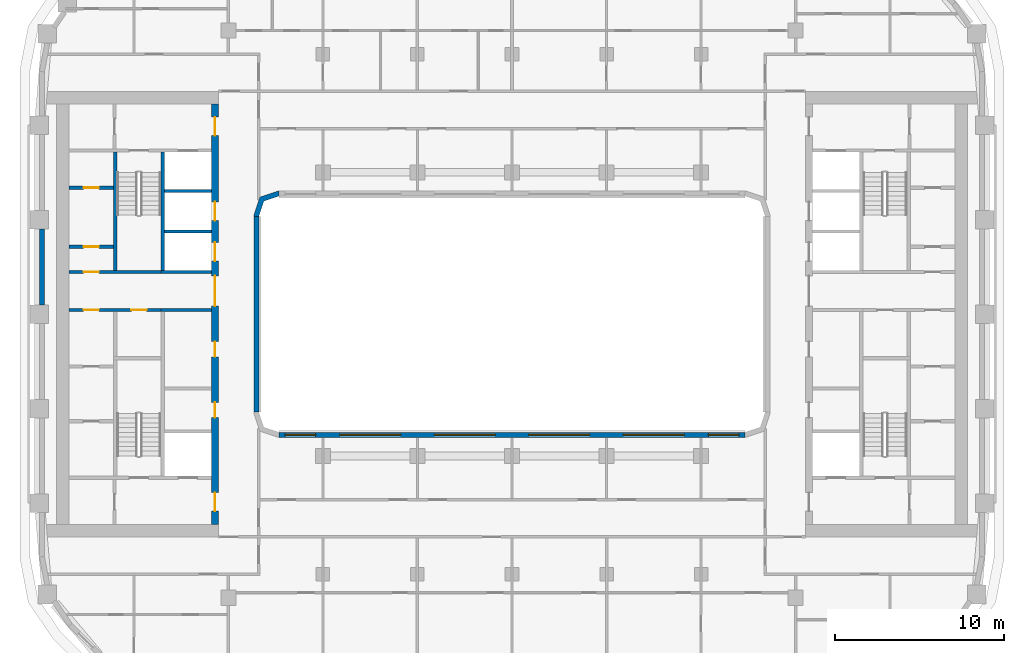
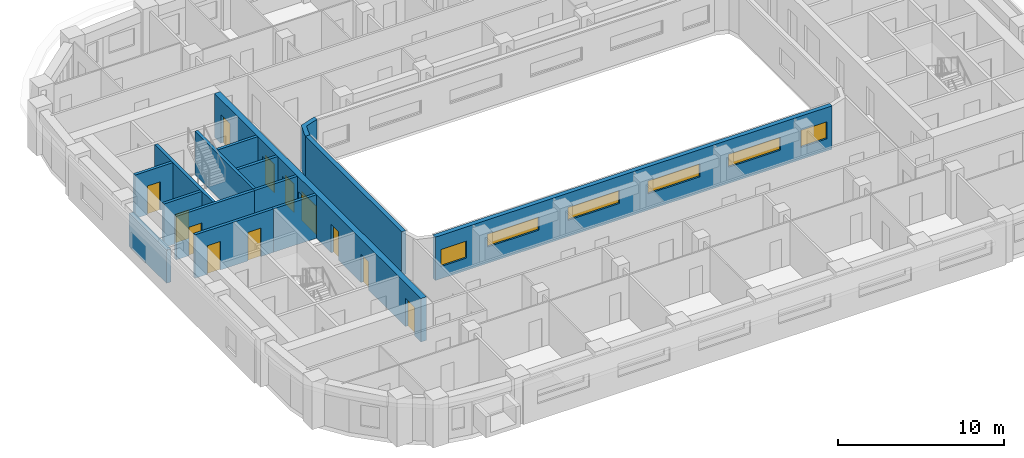
# One storey, part 4 of 22: 15 walls, 12 doors, 6 windows, 18 openings.
"""IFC4 building model written with IfcOpenShell, lengths in metres."""

from ifc_helpers import new_model, si_unit, direction, frame, frame_2d, origin, place, context, subcontext, project, spatial, polyline, rectangle, outline, extrude, material, layer, layer_set, type_object, element, fill, save


model = new_model("IFC4")

# Units and contexts
model_context = context("Model", 3, precision=1e-05, world=origin(), true_north=direction((0.0, 1.0)))
body_context = subcontext(model_context, "Body", "Model", "MODEL_VIEW")
ifc_project = project(units=[si_unit("LENGTHUNIT", "METRE"), si_unit("AREAUNIT", "SQUARE_METRE"), si_unit("VOLUMEUNIT", "CUBIC_METRE"), si_unit("PLANEANGLEUNIT", "RADIAN"), si_unit("MASSUNIT", "GRAM", prefix="KILO")], contexts=[model_context])

# Site, building, storey
site_placement = place(None, origin())
site = spatial("IfcSite", under=ifc_project, at=site_placement, CompositionType="ELEMENT")
building_placement = place(site_placement, origin())
building = spatial("IfcBuilding", under=site, at=building_placement, Name="Kiln Ring Residences", CompositionType="ELEMENT")
storey_placement = place(building_placement, frame((0.0, 0.0, 146.60009765625)))
storey = spatial("IfcBuildingStorey", under=building, at=storey_placement, Name="L37", CompositionType="ELEMENT", Elevation=146.60009765625)

# Wall, openings, doors
ifc_material_1 = material(Name="Gypsum board on steel studs", Category="steel")
ifc_layer_1 = layer(ifc_material_1, 0.199951171875)
ifc_layer_set_1 = layer_set([ifc_layer_1], Name="CORE-PARTITION-200")
wall_type_1 = type_object("IfcWallType", Name="CORE-PARTITION-200", PredefinedType="PARTITIONING", material=ifc_layer_set_1)
wall_1_placement = place(storey_placement, frame((-20.800048828125, 0.25, 0.0), z_axis=(0.0, 0.0, 1.0), x_axis=(-1.0, 0.0, 0.0)))
wall_1 = element("IfcWall", 1, at=wall_1_placement, inside=storey, type_object=wall_type_1, Name="Core partition west L37 2", PredefinedType="PARTITIONING", context=body_context, shape_type="SweptSolid", body=[
    extrude(rectangle(XDim=5.449951171875, YDim=0.199951171875, at=frame_2d((2.72509765625, 0.0))), origin(), (0.0, 0.0, 1.0), 3.199951171875),
])
opening_1_placement = place(wall_1_placement, frame((0.85009765625, 0.0, 0.0)))
opening_1 = element("IfcOpeningElement", 2, at=opening_1_placement, cuts=wall_1, Name="Opening L37-CW14", PredefinedType="OPENING", context=body_context, shape_type="SweptSolid", body=[
    extrude(rectangle(XDim=0.89990234375, YDim=2.10009765625, at=frame_2d((0.449951171875, 1.050048828125))), frame((0.0, 0.10986328125, 0.0), z_axis=(0.0, -1.0, 0.0), x_axis=(1.0, 0.0, 0.0)), (0.0, 0.0, 1.0), 0.219970703125),
])
opening_2_placement = place(wall_1_placement, frame((3.675048828125, 0.0, 0.0)))
opening_2 = element("IfcOpeningElement", 3, at=opening_2_placement, cuts=wall_1, Name="Opening L37-CW17", PredefinedType="OPENING", context=body_context, shape_type="SweptSolid", body=[
    extrude(rectangle(XDim=0.89990234375, YDim=2.10009765625, at=frame_2d((0.449951171875, 1.050048828125))), frame((0.0, 0.10986328125, 0.0), z_axis=(0.0, -1.0, 0.0), x_axis=(1.0, 0.0, 0.0)), (0.0, 0.0, 1.0), 0.219970703125),
])
ifc_material_2 = material(Name="Steel door leaf", Category="steel")
door_type_1 = type_object("IfcDoorType", Name="CORE-DOOR-ROOM", OperationType="SINGLE_SWING_LEFT", PredefinedType="DOOR", material=ifc_material_2)
door_1_placement = place(opening_1_placement, origin())
door_1 = element("IfcDoor", 4, at=door_1_placement, inside=storey, type_object=door_type_1, Name="Electrical riser room L37-CW14", OperationType="SINGLE_SWING_RIGHT", OverallHeight=2.10009765625, OverallWidth=0.89990234375, PredefinedType="DOOR", context=body_context, shape_type="SweptSolid", body=[
    extrude(rectangle(XDim=0.89990234375, YDim=2.10009765625, at=frame_2d((0.449951171875, 1.050048828125))), frame((0.0, 0.02490234375, 0.0), z_axis=(0.0, -1.0, 0.0), x_axis=(1.0, 0.0, 0.0)), (0.0, 0.0, 1.0), 0.050048828125),
])
fill(opening_1, door_1)
door_2_placement = place(opening_2_placement, origin())
door_2 = element("IfcDoor", 5, at=door_2_placement, inside=storey, type_object=door_type_1, Name="Plant room L37-CW17", OperationType="SINGLE_SWING_LEFT", OverallHeight=2.10009765625, OverallWidth=0.89990234375, PredefinedType="DOOR", context=body_context, shape_type="SweptSolid", body=[
    extrude(rectangle(XDim=0.89990234375, YDim=2.10009765625, at=frame_2d((0.449951171875, 1.050048828125))), frame((0.0, 0.02490234375, 0.0), z_axis=(0.0, -1.0, 0.0), x_axis=(1.0, 0.0, 0.0)), (0.0, 0.0, 1.0), 0.050048828125),
])
fill(opening_2, door_2)

# Wall, opening, door
wall_2_placement = place(storey_placement, frame((-23.60009765625, 4.0, 0.0), z_axis=(0.0, 0.0, 1.0), x_axis=(-1.0, 0.0, 0.0)))
wall_2 = element("IfcWall", 6, at=wall_2_placement, inside=storey, type_object=wall_type_1, Name="Core partition west L37 8", PredefinedType="PARTITIONING", context=body_context, shape_type="SweptSolid", body=[
    extrude(rectangle(XDim=2.64990234375, YDim=0.199951171875, at=frame_2d((1.324951171875, 0.0))), origin(), (0.0, 0.0, 1.0), 3.199951171875),
])
opening_3_placement = place(wall_2_placement, frame((0.875, 0.0, 0.0)))
opening_3 = element("IfcOpeningElement", 7, at=opening_3_placement, cuts=wall_2, Name="Opening L37-CW18", PredefinedType="OPENING", context=body_context, shape_type="SweptSolid", body=[
    extrude(rectangle(XDim=0.89990234375, YDim=2.10009765625, at=frame_2d((0.449951171875, 1.050048828125))), frame((0.0, 0.10986328125, 0.0), z_axis=(0.0, -1.0, 0.0), x_axis=(1.0, 0.0, 0.0)), (0.0, 0.0, 1.0), 0.219970703125),
])
door_3_placement = place(opening_3_placement, origin())
door_3 = element("IfcDoor", 8, at=door_3_placement, inside=storey, type_object=door_type_1, Name="Electrical plant room L37-CW18", OperationType="SINGLE_SWING_LEFT", OverallHeight=2.10009765625, OverallWidth=0.89990234375, PredefinedType="DOOR", context=body_context, shape_type="SweptSolid", body=[
    extrude(rectangle(XDim=0.89990234375, YDim=2.10009765625, at=frame_2d((0.449951171875, 1.050048828125))), frame((0.0, 0.02490234375, 0.0), z_axis=(0.0, -1.0, 0.0), x_axis=(1.0, 0.0, 0.0)), (0.0, 0.0, 1.0), 0.050048828125),
])
fill(opening_3, door_3)

wall_3_placement = place(storey_placement, frame((-23.60009765625, 7.5, 0.0), z_axis=(0.0, 0.0, 1.0), x_axis=(-1.0, 0.0, 0.0)))
wall_3 = element("IfcWall", 9, at=wall_3_placement, inside=storey, type_object=wall_type_1, Name="Core partition west L37 9", PredefinedType="PARTITIONING", context=body_context, shape_type="SweptSolid", body=[
    extrude(rectangle(XDim=2.64990234375, YDim=0.199951171875, at=frame_2d((1.324951171875, 0.0))), origin(), (0.0, 0.0, 1.0), 3.199951171875),
])
opening_4_placement = place(wall_3_placement, frame((0.875, 0.0, 0.0)))
opening_4 = element("IfcOpeningElement", 10, at=opening_4_placement, cuts=wall_3, Name="Opening L37-CW19", PredefinedType="OPENING", context=body_context, shape_type="SweptSolid", body=[
    extrude(rectangle(XDim=0.89990234375, YDim=2.10009765625, at=frame_2d((0.449951171875, 1.050048828125))), frame((0.0, 0.10986328125, 0.0), z_axis=(0.0, -1.0, 0.0), x_axis=(1.0, 0.0, 0.0)), (0.0, 0.0, 1.0), 0.219970703125),
])
door_4_placement = place(opening_4_placement, origin())
door_4 = element("IfcDoor", 11, at=door_4_placement, inside=storey, type_object=door_type_1, Name="UPS room L37-CW19", OperationType="SINGLE_SWING_RIGHT", OverallHeight=2.10009765625, OverallWidth=0.89990234375, PredefinedType="DOOR", context=body_context, shape_type="SweptSolid", body=[
    extrude(rectangle(XDim=0.89990234375, YDim=2.10009765625, at=frame_2d((0.449951171875, 1.050048828125))), frame((0.0, 0.02490234375, 0.0), z_axis=(0.0, -1.0, 0.0), x_axis=(1.0, 0.0, 0.0)), (0.0, 0.0, 1.0), 0.050048828125),
])
fill(opening_4, door_4)

# Walls
ifc_material_3 = material(Name="Gypsum shaft wall system")
ifc_layer_2 = layer(ifc_material_3, 0.199951171875)
ifc_layer_set_2 = layer_set([ifc_layer_2], Name="CORE-SHAFT-WALL-200")
wall_type_2 = type_object("IfcWallType", Name="CORE-SHAFT-WALL-200", PredefinedType="PARTITIONING", material=ifc_layer_set_2)
for number, where, z_axis, x_axis, name in (
    (12, (-17.800048828125, 0.25, 0.0), (0.0, 0.0, 1.0), (-1.0, 0.0, 0.0), "Core partition west L37 11"),
    (13, (-17.800048828125, 2.5, 0.0), (0.0, 0.0, 1.0), (-1.0, 0.0, 0.0), "Core partition west L37 12"),
):
    element("IfcWall", number, at=place(storey_placement, frame(where, z_axis=z_axis, x_axis=x_axis)), inside=storey, type_object=wall_type_2, Name=name, PredefinedType="PARTITIONING", context=body_context, shape_type="SweptSolid", body=[
        extrude(rectangle(XDim=3.0, YDim=0.199951171875, at=frame_2d((1.5, 0.0))), origin(), (0.0, 0.0, 1.0), 3.199951171875),
    ])
for number, where, z_axis, x_axis, name in (
    (14, (-17.800048828125, 4.89990234375, 0.0), (0.0, 0.0, 1.0), (-1.0, 0.0, 0.0), "Core partition west L37 13"),
    (15, (-17.800048828125, 7.300048828125, 0.0), (0.0, 0.0, 1.0), (-1.0, 0.0, 0.0), "Core partition west L37 14"),
):
    element("IfcWall", number, at=place(storey_placement, frame(where, z_axis=z_axis, x_axis=x_axis)), inside=storey, type_object=wall_type_2, Name=name, PredefinedType="PARTITIONING", context=body_context, shape_type="SweptSolid", body=[
        extrude(rectangle(XDim=2.800048828125, YDim=0.199951171875, at=frame_2d((1.39990234375, 0.0))), origin(), (0.0, 0.0, 1.0), 3.199951171875),
    ])
ifc_material_4 = material(Name="Concrete C40/50", Category="concrete")
ifc_layer_3 = layer(ifc_material_4, 0.199951171875)
ifc_layer_set_3 = layer_set([ifc_layer_3], Name="CORE-WALL-RC200")
wall_type_3 = type_object("IfcWallType", Name="CORE-WALL-RC200", PredefinedType="SHEAR", material=ifc_layer_set_3)
wall_4_placement = place(storey_placement, frame((-20.699951171875, 2.60009765625, 0.0), z_axis=(0.0, 0.0, 1.0), x_axis=(0.0, 1.0, 0.0)))
element("IfcWall", 16, at=wall_4_placement, inside=storey, type_object=wall_type_3, Name="Core wall west L37 1", PredefinedType="SHEAR", context=body_context, shape_type="SweptSolid", body=[
    extrude(rectangle(XDim=7.0, YDim=0.199951171875, at=frame_2d((3.5, 0.0))), origin(), (0.0, 0.0, 1.0), 3.199951171875),
])

# Wall, opening, door
wall_5_placement = place(storey_placement, frame((-20.800048828125, 2.5, 0.0), z_axis=(0.0, 0.0, 1.0), x_axis=(-1.0, 0.0, 0.0)))
wall_5 = element("IfcWall", 17, at=wall_5_placement, inside=storey, type_object=wall_type_3, Name="Core wall west L37 3", PredefinedType="SHEAR", context=body_context, shape_type="SweptSolid", body=[
    extrude(rectangle(XDim=5.449951171875, YDim=0.199951171875, at=frame_2d((2.72509765625, 0.0))), origin(), (0.0, 0.0, 1.0), 3.199951171875),
])
opening_5_placement = place(wall_5_placement, frame((3.675048828125, 0.0, 0.0)))
opening_5 = element("IfcOpeningElement", 18, at=opening_5_placement, cuts=wall_5, Name="Opening L37-CW20", PredefinedType="OPENING", context=body_context, shape_type="SweptSolid", body=[
    extrude(rectangle(XDim=0.89990234375, YDim=2.10009765625, at=frame_2d((0.449951171875, 1.050048828125))), frame((0.0, 0.10986328125, 0.0), z_axis=(0.0, -1.0, 0.0), x_axis=(1.0, 0.0, 0.0)), (0.0, 0.0, 1.0), 0.219970703125),
])
door_5_placement = place(opening_5_placement, origin())
door_5 = element("IfcDoor", 19, at=door_5_placement, inside=storey, type_object=door_type_1, Name="Comms room L37-CW20", OperationType="SINGLE_SWING_LEFT", OverallHeight=2.10009765625, OverallWidth=0.89990234375, PredefinedType="DOOR", context=body_context, shape_type="SweptSolid", body=[
    extrude(rectangle(XDim=0.89990234375, YDim=2.10009765625, at=frame_2d((0.449951171875, 1.050048828125))), frame((0.0, 0.02490234375, 0.0), z_axis=(0.0, -1.0, 0.0), x_axis=(1.0, 0.0, 0.0)), (0.0, 0.0, 1.0), 0.050048828125),
])
fill(opening_5, door_5)

# Wall
wall_6_placement = place(storey_placement, frame((-23.5, 2.60009765625, 0.0), z_axis=(0.0, 0.0, 1.0), x_axis=(0.0, 1.0, 0.0)))
element("IfcWall", 20, at=wall_6_placement, inside=storey, type_object=wall_type_3, Name="Core wall west L37 10", PredefinedType="SHEAR", context=body_context, shape_type="SweptSolid", body=[
    extrude(rectangle(XDim=7.0, YDim=0.199951171875, at=frame_2d((3.5, 0.0))), origin(), (0.0, 0.0, 1.0), 3.199951171875),
])

# Wall, openings, doors
ifc_material_5 = material(Name="Concrete C60/75", Category="concrete")
ifc_layer_4 = layer(ifc_material_5, 0.39990234375)
ifc_layer_set_4 = layer_set([ifc_layer_4], Name="CORE-WALL-RC400")
wall_type_4 = type_object("IfcWallType", Name="CORE-WALL-RC400", PredefinedType="SHEAR", material=ifc_layer_set_4)
wall_7_placement = place(storey_placement, frame((-17.60009765625, -12.449951171875, 0.0), z_axis=(0.0, 0.0, 1.0), x_axis=(0.0, 1.0, 0.0)))
wall_7 = element("IfcWall", 21, at=wall_7_placement, inside=storey, type_object=wall_type_4, Name="Core wall west L37 6", PredefinedType="SHEAR", context=body_context, shape_type="SweptSolid", body=[
    extrude(rectangle(XDim=24.89990234375, YDim=0.39990234375, at=frame_2d((12.449951171875, 0.0))), origin(), (0.0, 0.0, 1.0), 3.199951171875),
])
opening_6_placement = place(wall_7_placement, frame((6.324951171875, 0.0, 0.0)))
opening_6 = element("IfcOpeningElement", 22, at=opening_6_placement, cuts=wall_7, Name="Opening L37-CW02", PredefinedType="OPENING", context=body_context, shape_type="SweptSolid", body=[
    extrude(rectangle(XDim=0.89990234375, YDim=2.10009765625, at=frame_2d((0.449951171875, 1.050048828125))), frame((0.0, 0.2099609375, 0.0), z_axis=(0.0, -1.0, 0.0), x_axis=(1.0, 0.0, 0.0)), (0.0, 0.0, 1.0), 0.419921875),
])
opening_7_placement = place(wall_7_placement, frame((9.925048828125, 0.0, 0.0)))
opening_7 = element("IfcOpeningElement", 23, at=opening_7_placement, cuts=wall_7, Name="Opening L37-CW03", PredefinedType="OPENING", context=body_context, shape_type="SweptSolid", body=[
    extrude(rectangle(XDim=0.89990234375, YDim=2.10009765625, at=frame_2d((0.449951171875, 1.050048828125))), frame((0.0, 0.2099609375, 0.0), z_axis=(0.0, -1.0, 0.0), x_axis=(1.0, 0.0, 0.0)), (0.0, 0.0, 1.0), 0.419921875),
])
opening_8_placement = place(wall_7_placement, frame((15.60009765625, 0.0, 0.0)))
opening_8 = element("IfcOpeningElement", 24, at=opening_8_placement, cuts=wall_7, Name="Opening L37-CW04", PredefinedType="OPENING", context=body_context, shape_type="SweptSolid", body=[
    extrude(rectangle(XDim=1.10009765625, YDim=2.10009765625, at=frame_2d((0.550048828125, 1.050048828125))), frame((0.0, 0.2099609375, 0.0), z_axis=(0.0, -1.0, 0.0), x_axis=(1.0, 0.0, 0.0)), (0.0, 0.0, 1.0), 0.419921875),
])
opening_9_placement = place(wall_7_placement, frame((18.0, 0.0, 0.0)))
opening_9 = element("IfcOpeningElement", 25, at=opening_9_placement, cuts=wall_7, Name="Opening L37-CW05", PredefinedType="OPENING", context=body_context, shape_type="SweptSolid", body=[
    extrude(rectangle(XDim=1.10009765625, YDim=2.10009765625, at=frame_2d((0.550048828125, 1.050048828125))), frame((0.0, 0.2099609375, 0.0), z_axis=(0.0, -1.0, 0.0), x_axis=(1.0, 0.0, 0.0)), (0.0, 0.0, 1.0), 0.419921875),
])
opening_10_placement = place(wall_7_placement, frame((23.02490234375, 0.0, 0.0)))
opening_10 = element("IfcOpeningElement", 26, at=opening_10_placement, cuts=wall_7, Name="Opening L37-CW07", PredefinedType="OPENING", context=body_context, shape_type="SweptSolid", body=[
    extrude(rectangle(XDim=1.10009765625, YDim=2.10009765625, at=frame_2d((0.550048828125, 1.050048828125))), frame((0.0, 0.2099609375, 0.0), z_axis=(0.0, -1.0, 0.0), x_axis=(1.0, 0.0, 0.0)), (0.0, 0.0, 1.0), 0.419921875),
])
opening_11_placement = place(wall_7_placement, frame((0.77490234375, 0.0, 0.0)))
opening_11 = element("IfcOpeningElement", 27, at=opening_11_placement, cuts=wall_7, Name="Opening L37-CW08", PredefinedType="OPENING", context=body_context, shape_type="SweptSolid", body=[
    extrude(rectangle(XDim=1.10009765625, YDim=2.10009765625, at=frame_2d((0.550048828125, 1.050048828125))), frame((0.0, 0.2099609375, 0.0), z_axis=(0.0, -1.0, 0.0), x_axis=(1.0, 0.0, 0.0)), (0.0, 0.0, 1.0), 0.419921875),
])
opening_12_placement = place(wall_7_placement, frame((12.925048828125, 0.0, 0.0)))
opening_12 = element("IfcOpeningElement", 28, at=opening_12_placement, cuts=wall_7, Name="Opening L37-CW13", PredefinedType="OPENING", context=body_context, shape_type="SweptSolid", body=[
    extrude(rectangle(XDim=1.800048828125, YDim=2.10009765625, at=frame_2d((0.89990234375, 1.050048828125))), frame((0.0, 0.2099609375, 0.0), z_axis=(0.0, -1.0, 0.0), x_axis=(1.0, 0.0, 0.0)), (0.0, 0.0, 1.0), 0.419921875),
])
ifc_material_6 = material(Name="Steel door leaf", Category="steel")
door_type_2 = type_object("IfcDoorType", Name="CORE-DOOR-LD", OperationType="DOUBLE_DOOR_SLIDING", PredefinedType="DOOR", material=ifc_material_6)
door_6_placement = place(opening_8_placement, origin())
door_6 = element("IfcDoor", 29, at=door_6_placement, inside=storey, type_object=door_type_2, Name="LD W-M1 L37-CW04", OperationType="DOUBLE_DOOR_SLIDING", OverallHeight=2.10009765625, OverallWidth=1.10009765625, PredefinedType="DOOR", context=body_context, shape_type="SweptSolid", body=[
    extrude(rectangle(XDim=1.10009765625, YDim=2.10009765625, at=frame_2d((0.550048828125, 1.050048828125))), frame((0.0, 0.02490234375, 0.0), z_axis=(0.0, -1.0, 0.0), x_axis=(1.0, 0.0, 0.0)), (0.0, 0.0, 1.0), 0.050048828125),
])
fill(opening_8, door_6)
door_7_placement = place(opening_9_placement, origin())
door_7 = element("IfcDoor", 30, at=door_7_placement, inside=storey, type_object=door_type_2, Name="LD W-M2 L37-CW05", OperationType="DOUBLE_DOOR_SLIDING", OverallHeight=2.10009765625, OverallWidth=1.10009765625, PredefinedType="DOOR", context=body_context, shape_type="SweptSolid", body=[
    extrude(rectangle(XDim=1.10009765625, YDim=2.10009765625, at=frame_2d((0.550048828125, 1.050048828125))), frame((0.0, 0.02490234375, 0.0), z_axis=(0.0, -1.0, 0.0), x_axis=(1.0, 0.0, 0.0)), (0.0, 0.0, 1.0), 0.050048828125),
])
fill(opening_9, door_7)
ifc_material_7 = material(Name="Steel door leaf", Category="steel")
door_type_3 = type_object("IfcDoorType", Name="CORE-DOOR-LOBBY", OperationType="SINGLE_SWING_LEFT", PredefinedType="DOOR", material=ifc_material_7)
door_8_placement = place(opening_10_placement, origin())
door_8 = element("IfcDoor", 31, at=door_8_placement, inside=storey, type_object=door_type_3, Name="FFL L37-CW07", OperationType="SINGLE_SWING_RIGHT", OverallHeight=2.10009765625, OverallWidth=1.10009765625, PredefinedType="DOOR", context=body_context, shape_type="SweptSolid", body=[
    extrude(rectangle(XDim=1.10009765625, YDim=2.10009765625, at=frame_2d((0.550048828125, 1.050048828125))), frame((0.0, 0.02490234375, 0.0), z_axis=(0.0, -1.0, 0.0), x_axis=(1.0, 0.0, 0.0)), (0.0, 0.0, 1.0), 0.050048828125),
])
fill(opening_10, door_8)
door_9_placement = place(opening_11_placement, origin())
door_9 = element("IfcDoor", 32, at=door_9_placement, inside=storey, type_object=door_type_3, Name="SVL L37-CW08", OperationType="SINGLE_SWING_LEFT", OverallHeight=2.10009765625, OverallWidth=1.10009765625, PredefinedType="DOOR", context=body_context, shape_type="SweptSolid", body=[
    extrude(rectangle(XDim=1.10009765625, YDim=2.10009765625, at=frame_2d((0.550048828125, 1.050048828125))), frame((0.0, 0.02490234375, 0.0), z_axis=(0.0, -1.0, 0.0), x_axis=(1.0, 0.0, 0.0)), (0.0, 0.0, 1.0), 0.050048828125),
])
fill(opening_11, door_9)
ifc_material_8 = material(Name="Steel door leaf", Category="steel")
door_type_4 = type_object("IfcDoorType", Name="CORE-DOOR-PASS", OperationType="DOUBLE_DOOR_SINGLE_SWING", PredefinedType="DOOR", material=ifc_material_8)
door_10_placement = place(opening_12_placement, origin())
door_10 = element("IfcDoor", 33, at=door_10_placement, inside=storey, type_object=door_type_4, Name="Core passage L37-CW13", OperationType="DOUBLE_DOOR_SINGLE_SWING", OverallHeight=2.10009765625, OverallWidth=1.800048828125, PredefinedType="DOOR", context=body_context, shape_type="SweptSolid", body=[
    extrude(rectangle(XDim=1.800048828125, YDim=2.10009765625, at=frame_2d((0.89990234375, 1.050048828125))), frame((0.0, 0.02490234375, 0.0), z_axis=(0.0, -1.0, 0.0), x_axis=(1.0, 0.0, 0.0)), (0.0, 0.0, 1.0), 0.050048828125),
])
fill(opening_12, door_10)
door_11_placement = place(opening_6_placement, origin())
door_11 = element("IfcDoor", 34, at=door_11_placement, inside=storey, type_object=door_type_1, Name="Goods store L37-CW02", OperationType="SINGLE_SWING_RIGHT", OverallHeight=2.10009765625, OverallWidth=0.89990234375, PredefinedType="DOOR", context=body_context, shape_type="SweptSolid", body=[
    extrude(rectangle(XDim=0.89990234375, YDim=2.10009765625, at=frame_2d((0.449951171875, 1.050048828125))), frame((0.0, 0.02490234375, 0.0), z_axis=(0.0, -1.0, 0.0), x_axis=(1.0, 0.0, 0.0)), (0.0, 0.0, 1.0), 0.050048828125),
])
fill(opening_6, door_11)
door_12_placement = place(opening_7_placement, origin())
door_12 = element("IfcDoor", 35, at=door_12_placement, inside=storey, type_object=door_type_1, Name="Storage room L37-CW03", OperationType="SINGLE_SWING_LEFT", OverallHeight=2.10009765625, OverallWidth=0.89990234375, PredefinedType="DOOR", context=body_context, shape_type="SweptSolid", body=[
    extrude(rectangle(XDim=0.89990234375, YDim=2.10009765625, at=frame_2d((0.449951171875, 1.050048828125))), frame((0.0, 0.02490234375, 0.0), z_axis=(0.0, -1.0, 0.0), x_axis=(1.0, 0.0, 0.0)), (0.0, 0.0, 1.0), 0.050048828125),
])
fill(opening_7, door_12)

# Walls
ifc_material_9 = material(Name="Brick masonry, dark clay brick", Category="masonry")
ifc_layer_5 = layer(ifc_material_9, 0.300048828125)
ifc_layer_set_5 = layer_set([ifc_layer_5], Name="EW-300 BRICK WALL")
wall_type_5 = type_object("IfcWallType", Name="EW-300 BRICK WALL", PredefinedType="SOLIDWALL", material=ifc_layer_set_5)
wall_8_placement = place(storey_placement, frame((-27.85009765625, 5.050048828125, 0.0), z_axis=(0.0, 0.0, 1.0), x_axis=(0.0, -1.0, 0.0)))
element("IfcWall", 36, at=wall_8_placement, inside=storey, type_object=wall_type_5, Name="Facade wall L37 43", PredefinedType="SOLIDWALL", context=body_context, shape_type="SweptSolid", body=[
    extrude(rectangle(XDim=4.5, YDim=0.300048828125, at=frame_2d((2.25, 0.0))), origin(), (0.0, 0.0, 1.0), 2.449951171875),
])
wall_9_placement = place(storey_placement, frame((-15.14990234375, -5.800048828125, 0.0), z_axis=(0.0, 0.0, 1.0), x_axis=(0.0, 1.0, 0.0)))
element("IfcWall", 37, at=wall_9_placement, inside=storey, type_object=wall_type_5, Name="Facade wall L37 49", PredefinedType="SOLIDWALL", context=body_context, shape_type="SweptSolid", body=[
    extrude(rectangle(XDim=11.60009765625, YDim=0.300048828125, at=frame_2d((5.800048828125, 0.0))), origin(), (0.0, 0.0, 1.0), 3.199951171875),
])

# Wall, openings, windows
wall_10_placement = place(storey_placement, frame((13.800048828125, -7.14990234375, 0.0), z_axis=(0.0, 0.0, 1.0), x_axis=(-1.0, 0.0, 0.0)))
wall_10 = element("IfcWall", 38, at=wall_10_placement, inside=storey, type_object=wall_type_5, Name="Facade wall L37 52", PredefinedType="SOLIDWALL", context=body_context, shape_type="SweptSolid", body=[
    extrude(rectangle(XDim=27.60009765625, YDim=0.300048828125, at=frame_2d((13.800048828125, 0.0))), origin(), (0.0, 0.0, 1.0), 3.199951171875),
])
opening_13_placement = place(wall_10_placement, frame((0.362548828125, 0.0, 0.89990234375)))
opening_13 = element("IfcOpeningElement", 39, at=opening_13_placement, cuts=wall_10, Name="Opening W2", PredefinedType="OPENING", context=body_context, shape_type="SweptSolid", body=[
    extrude(rectangle(XDim=1.800048828125, YDim=1.25, at=frame_2d((0.89990234375, 0.625))), frame((0.0, 0.159912109375, 0.0), z_axis=(0.0, -1.0, 0.0), x_axis=(1.0, 0.0, 0.0)), (0.0, 0.0, 1.0), 0.320068359375),
])
opening_14_placement = place(wall_10_placement, frame((3.60009765625, 0.0, 1.199951171875)))
opening_14 = element("IfcOpeningElement", 40, at=opening_14_placement, cuts=wall_10, Name="Opening W4", PredefinedType="OPENING", context=body_context, shape_type="SweptSolid", body=[
    extrude(rectangle(XDim=3.60009765625, YDim=0.949951171875, at=frame_2d((1.800048828125, 0.47509765625))), frame((0.0, 0.159912109375, 0.0), z_axis=(0.0, -1.0, 0.0), x_axis=(1.0, 0.0, 0.0)), (0.0, 0.0, 1.0), 0.320068359375),
])
opening_15_placement = place(wall_10_placement, frame((9.199951171875, 0.0, 1.199951171875)))
opening_15 = element("IfcOpeningElement", 41, at=opening_15_placement, cuts=wall_10, Name="Opening W4", PredefinedType="OPENING", context=body_context, shape_type="SweptSolid", body=[
    extrude(rectangle(XDim=3.60009765625, YDim=0.949951171875, at=frame_2d((1.800048828125, 0.47509765625))), frame((0.0, 0.159912109375, 0.0), z_axis=(0.0, -1.0, 0.0), x_axis=(1.0, 0.0, 0.0)), (0.0, 0.0, 1.0), 0.320068359375),
])
opening_16_placement = place(wall_10_placement, frame((14.800048828125, 0.0, 1.199951171875)))
opening_16 = element("IfcOpeningElement", 42, at=opening_16_placement, cuts=wall_10, Name="Opening W4", PredefinedType="OPENING", context=body_context, shape_type="SweptSolid", body=[
    extrude(rectangle(XDim=3.60009765625, YDim=0.949951171875, at=frame_2d((1.800048828125, 0.47509765625))), frame((0.0, 0.159912109375, 0.0), z_axis=(0.0, -1.0, 0.0), x_axis=(1.0, 0.0, 0.0)), (0.0, 0.0, 1.0), 0.320068359375),
])
opening_17_placement = place(wall_10_placement, frame((20.39990234375, 0.0, 1.199951171875)))
opening_17 = element("IfcOpeningElement", 43, at=opening_17_placement, cuts=wall_10, Name="Opening W4", PredefinedType="OPENING", context=body_context, shape_type="SweptSolid", body=[
    extrude(rectangle(XDim=3.60009765625, YDim=0.949951171875, at=frame_2d((1.800048828125, 0.47509765625))), frame((0.0, 0.159912109375, 0.0), z_axis=(0.0, -1.0, 0.0), x_axis=(1.0, 0.0, 0.0)), (0.0, 0.0, 1.0), 0.320068359375),
])
opening_18_placement = place(wall_10_placement, frame((25.4375, 0.0, 0.89990234375)))
opening_18 = element("IfcOpeningElement", 44, at=opening_18_placement, cuts=wall_10, Name="Opening W2", PredefinedType="OPENING", context=body_context, shape_type="SweptSolid", body=[
    extrude(rectangle(XDim=1.800048828125, YDim=1.25, at=frame_2d((0.89990234375, 0.625))), frame((0.0, 0.159912109375, 0.0), z_axis=(0.0, -1.0, 0.0), x_axis=(1.0, 0.0, 0.0)), (0.0, 0.0, 1.0), 0.320068359375),
])
ifc_material_10 = material(Name="Aluminium frame with double glazing", Category="aluminium")
window_type_1 = type_object("IfcWindowType", Name="WINDOW 1800 x 1250", PartitioningType="SINGLE_PANEL", PredefinedType="WINDOW", material=ifc_material_10)
window_1_placement = place(opening_13_placement, origin())
window_1 = element("IfcWindow", 45, at=window_1_placement, inside=storey, type_object=window_type_1, Name="Window L37 34", OverallHeight=1.25, OverallWidth=1.800048828125, PartitioningType="SINGLE_PANEL", PredefinedType="WINDOW", context=body_context, shape_type="SweptSolid", body=[
    extrude(rectangle(XDim=1.800048828125, YDim=1.25, at=frame_2d((0.89990234375, 0.625))), frame((0.0, 0.030029296875, 0.0), z_axis=(0.0, -1.0, 0.0), x_axis=(1.0, 0.0, 0.0)), (0.0, 0.0, 1.0), 0.06005859375),
])
fill(opening_13, window_1)
window_2_placement = place(opening_18_placement, origin())
window_2 = element("IfcWindow", 46, at=window_2_placement, inside=storey, type_object=window_type_1, Name="Window L37 39", OverallHeight=1.25, OverallWidth=1.800048828125, PartitioningType="SINGLE_PANEL", PredefinedType="WINDOW", context=body_context, shape_type="SweptSolid", body=[
    extrude(rectangle(XDim=1.800048828125, YDim=1.25, at=frame_2d((0.89990234375, 0.625))), frame((0.0, 0.030029296875, 0.0), z_axis=(0.0, -1.0, 0.0), x_axis=(1.0, 0.0, 0.0)), (0.0, 0.0, 1.0), 0.06005859375),
])
fill(opening_18, window_2)
ifc_material_11 = material(Name="Aluminium frame with double glazing", Category="aluminium")
window_type_2 = type_object("IfcWindowType", Name="WINDOW 3600 x 950", PartitioningType="SINGLE_PANEL", PredefinedType="WINDOW", material=ifc_material_11)
window_3_placement = place(opening_14_placement, origin())
window_3 = element("IfcWindow", 47, at=window_3_placement, inside=storey, type_object=window_type_2, Name="Window L37 35", OverallHeight=0.949951171875, OverallWidth=3.60009765625, PartitioningType="SINGLE_PANEL", PredefinedType="WINDOW", context=body_context, shape_type="SweptSolid", body=[
    extrude(rectangle(XDim=3.60009765625, YDim=0.949951171875, at=frame_2d((1.800048828125, 0.47509765625))), frame((0.0, 0.030029296875, 0.0), z_axis=(0.0, -1.0, 0.0), x_axis=(1.0, 0.0, 0.0)), (0.0, 0.0, 1.0), 0.06005859375),
])
fill(opening_14, window_3)
window_4_placement = place(opening_15_placement, origin())
window_4 = element("IfcWindow", 48, at=window_4_placement, inside=storey, type_object=window_type_2, Name="Window L37 36", OverallHeight=0.949951171875, OverallWidth=3.60009765625, PartitioningType="SINGLE_PANEL", PredefinedType="WINDOW", context=body_context, shape_type="SweptSolid", body=[
    extrude(rectangle(XDim=3.60009765625, YDim=0.949951171875, at=frame_2d((1.800048828125, 0.47509765625))), frame((0.0, 0.030029296875, 0.0), z_axis=(0.0, -1.0, 0.0), x_axis=(1.0, 0.0, 0.0)), (0.0, 0.0, 1.0), 0.06005859375),
])
fill(opening_15, window_4)
window_5_placement = place(opening_16_placement, origin())
window_5 = element("IfcWindow", 49, at=window_5_placement, inside=storey, type_object=window_type_2, Name="Window L37 37", OverallHeight=0.949951171875, OverallWidth=3.60009765625, PartitioningType="SINGLE_PANEL", PredefinedType="WINDOW", context=body_context, shape_type="SweptSolid", body=[
    extrude(rectangle(XDim=3.60009765625, YDim=0.949951171875, at=frame_2d((1.800048828125, 0.47509765625))), frame((0.0, 0.030029296875, 0.0), z_axis=(0.0, -1.0, 0.0), x_axis=(1.0, 0.0, 0.0)), (0.0, 0.0, 1.0), 0.06005859375),
])
fill(opening_16, window_5)
window_6_placement = place(opening_17_placement, origin())
window_6 = element("IfcWindow", 50, at=window_6_placement, inside=storey, type_object=window_type_2, Name="Window L37 38", OverallHeight=0.949951171875, OverallWidth=3.60009765625, PartitioningType="SINGLE_PANEL", PredefinedType="WINDOW", context=body_context, shape_type="SweptSolid", body=[
    extrude(rectangle(XDim=3.60009765625, YDim=0.949951171875, at=frame_2d((1.800048828125, 0.47509765625))), frame((0.0, 0.030029296875, 0.0), z_axis=(0.0, -1.0, 0.0), x_axis=(1.0, 0.0, 0.0)), (0.0, 0.0, 1.0), 0.06005859375),
])
fill(opening_17, window_6)

# Wall
wall_11_placement = place(storey_placement, origin())
element("IfcWall", 51, at=wall_11_placement, inside=storey, type_object=wall_type_5, Name="Corner wall L37 1", PredefinedType="SOLIDWALL", context=body_context, shape_type="SweptSolid", body=[
    extrude(outline(polyline([(-13.8486328125, 7.300048828125), (-14.937255859375, 6.937255859375), (-15.300048828125, 5.8486328125), (-15.300048828125, 5.800048828125), (-15.0, 5.800048828125), (-14.699951171875, 6.699951171875), (-13.800048828125, 7.0), (-13.800048828125, 7.300048828125), (-13.8486328125, 7.300048828125)])), origin(), (0.0, 0.0, 1.0), 3.199951171875),
])

save(model, "model.ifc")
